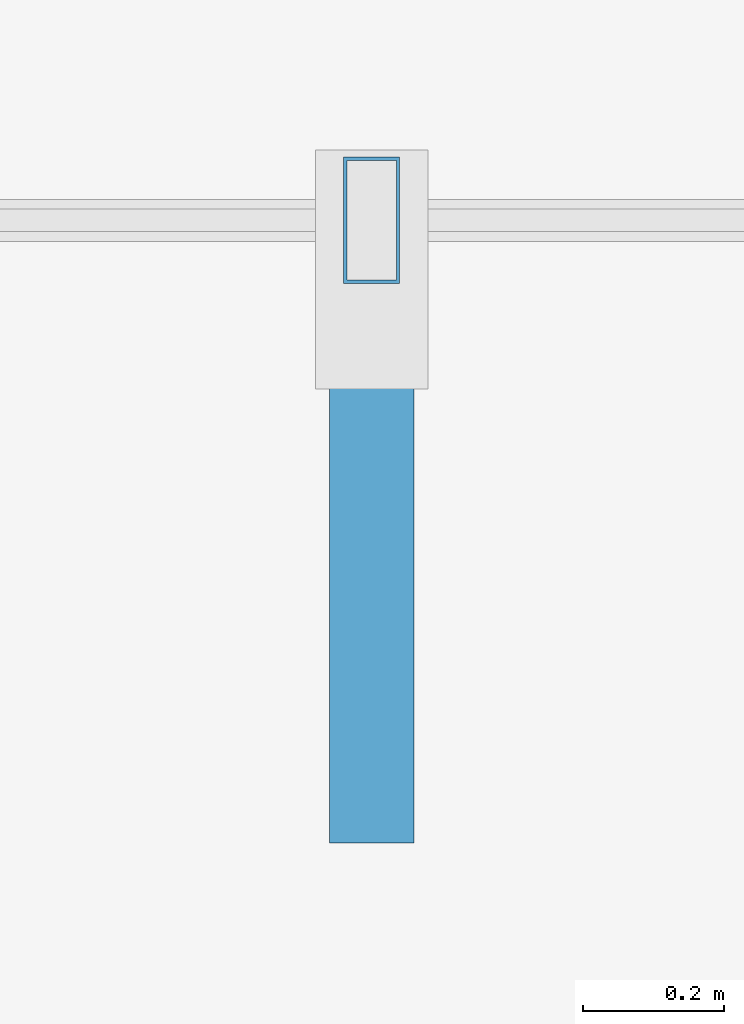
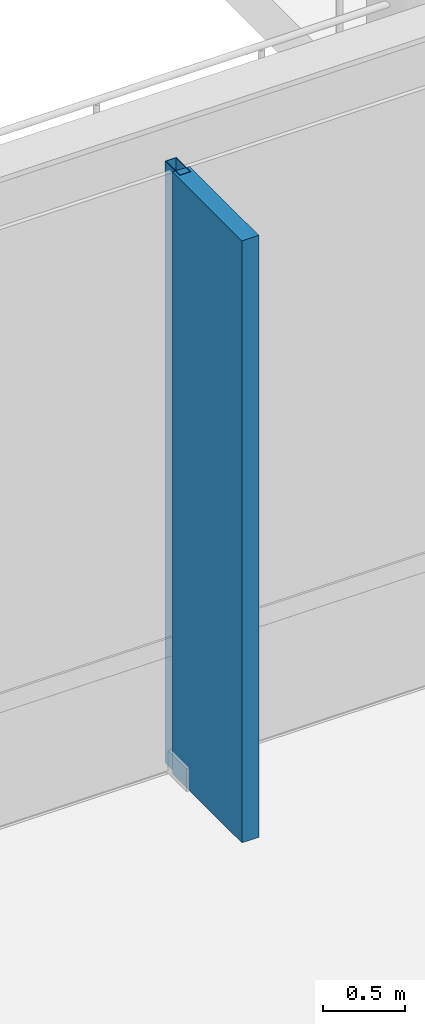
# One storey, part 6 of 30: 2 members, 1 element without a shape of its own.
"""IFC4 building model written with IfcOpenShell, lengths in metres."""

from ifc_helpers import new_model, si_unit, direction, frame, origin, origin_2d, place, context, subcontext, project, spatial, rectangle, hollow_rectangle, extrude, material, layer, layer_set, material_profile, profile_set, type_object, element, aggregate, save


model = new_model("IFC4")

# Units and contexts
model_context = context("Model", 3, precision=1e-05, world=origin(), true_north=direction((0.0, 1.0)))
body_context = subcontext(model_context, "Body", "Model", "MODEL_VIEW")
ifc_project = project(units=[si_unit("LENGTHUNIT", "METRE"), si_unit("AREAUNIT", "SQUARE_METRE"), si_unit("VOLUMEUNIT", "CUBIC_METRE"), si_unit("PLANEANGLEUNIT", "RADIAN"), si_unit("MASSUNIT", "GRAM", prefix="KILO")], contexts=[model_context])

# Site, building, storey
site_placement = place(None, origin())
site = spatial("IfcSite", under=ifc_project, at=site_placement, CompositionType="ELEMENT")
building_placement = place(site_placement, origin())
building = spatial("IfcBuilding", under=site, at=building_placement, Name="Zarrinselat Tower", CompositionType="ELEMENT")
storey_placement = place(building_placement, frame((0.0, 0.0, 22.780029296875)))
storey = spatial("IfcBuildingStorey", under=building, at=storey_placement, Name="L05", CompositionType="ELEMENT", Elevation=22.780029296875)

# Curtain wall, members
ifc_material_1 = material(Name="Extruded Aluminium Alloy EN AW-6063 T6", Category="aluminium")
ifc_layer = layer(ifc_material_1, 0.195068359375)
ifc_layer_set = layer_set([ifc_layer], Name="Extruded Aluminium Alloy EN AW-6063 T6")
curtain_wall_type = type_object("IfcCurtainWallType", Name="CWS-GDN", PredefinedType="NOTDEFINED", material=ifc_layer_set)
curtain_wall_placement = place(storey_placement, origin())
curtain_wall = element("IfcCurtainWall", 1, at=curtain_wall_placement, inside=storey, type_object=curtain_wall_type, Name="L05 Unitised Curtain Wall CW-L05-E04", PredefinedType="NOTDEFINED")
ifc_material_2 = material(Name="Extruded Aluminium Alloy EN AW-6063 T6", Category="aluminium")
ifc_material_profile_1 = material_profile(ifc_material_2, hollow_rectangle(XDim=0.080078125, YDim=0.179931640625, WallThickness=0.0048828125, at=origin_2d()), Name="RHS 180x80x5")
ifc_profile_set_1 = profile_set([ifc_material_profile_1], Name="Extruded Aluminium Alloy EN AW-6063 T6")
member_type_1 = type_object("IfcMemberType", Name="MEM-CW-MUL", PredefinedType="MULLION", material=ifc_profile_set_1)
member_1_placement = place(storey_placement, frame((38.39990234375, 19.24609375, 0.0), z_axis=(0.0, 0.0, 1.0), x_axis=(1.0, 0.0, 0.0)))
member_1 = element("IfcMember", 2, at=member_1_placement, type_object=member_type_1, Name="CW-L05-E04 Mullion 3", PredefinedType="MULLION", context=body_context, shape_type="SweptSolid", body=[
    extrude(hollow_rectangle(XDim=0.080078125, YDim=0.179931640625, WallThickness=0.0048828125, at=origin_2d()), origin(), (0.0, 0.0, 1.0), 4.5),
])
ifc_material_3 = material(Name="Honed Cream Travertine Stone", Category="masonry")
ifc_material_profile_2 = material_profile(ifc_material_3, rectangle(XDim=0.1201171875, YDim=0.85009765625, at=origin_2d()), Name="FIN 850x120")
ifc_profile_set_2 = profile_set([ifc_material_profile_2], Name="Honed Cream Travertine Stone")
member_type_2 = type_object("IfcMemberType", Name="MEM-STONE-FIN", PredefinedType="USERDEFINED", material=ifc_profile_set_2)
member_2_placement = place(storey_placement, frame((38.39990234375, 18.785888671875, 0.0), z_axis=(0.0, 0.0, 1.0), x_axis=(-1.0, 0.0, 0.0)))
member_2 = element("IfcMember", 3, at=member_2_placement, type_object=member_type_2, Name="L05 Stone Shading Fin CW-L05-E04-03", ObjectType="FIN", PredefinedType="USERDEFINED", context=body_context, shape_type="SweptSolid", body=[
    extrude(rectangle(XDim=0.1201171875, YDim=0.85009765625, at=origin_2d()), origin(), (0.0, 0.0, 1.0), 4.5),
])
aggregate(curtain_wall, [member_1, member_2])

save(model, "model.ifc")
